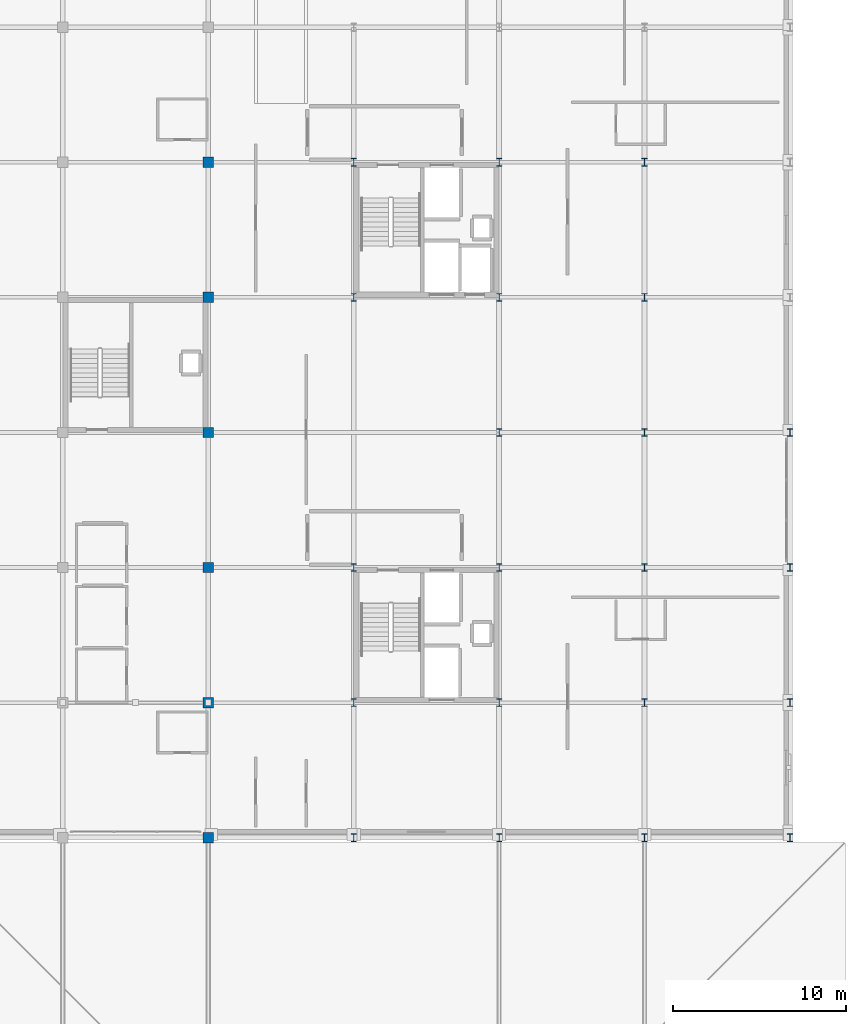
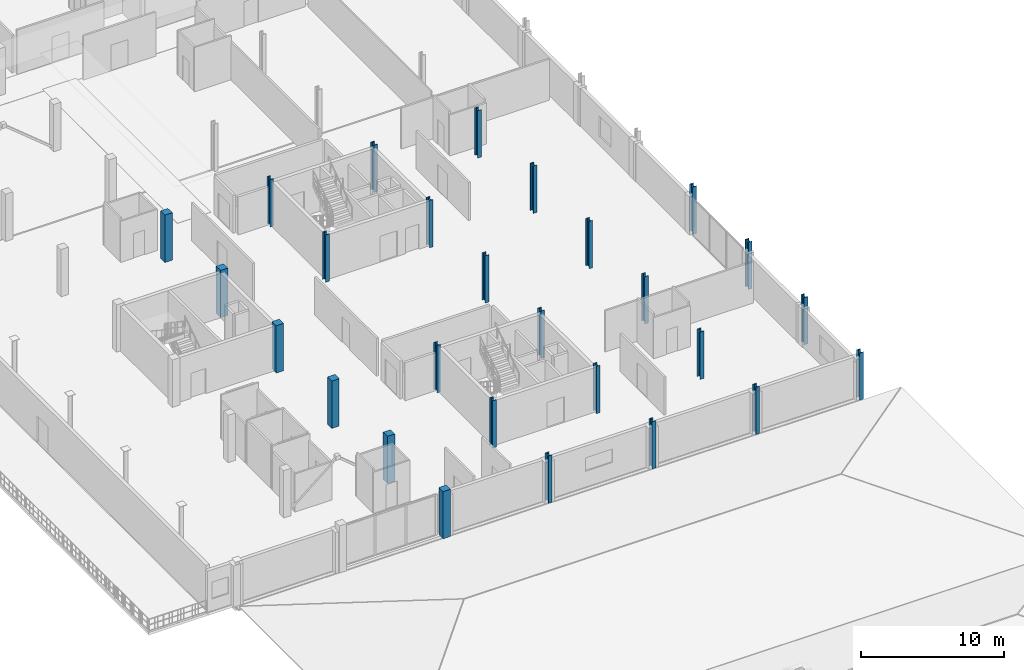
# One storey, part 3 of 25: 27 columns.
"""IFC4 building model written with IfcOpenShell, lengths in metres."""

from ifc_helpers import new_model, si_unit, direction, frame, origin, origin_2d, place, context, subcontext, project, spatial, rectangle, i_section, extrude, material, material_profile, profile_set, type_object, element, save


model = new_model("IFC4")

# Units and contexts
model_context = context("Model", 3, precision=1e-05, world=origin(), true_north=direction((0.0, 1.0)))
body_context = subcontext(model_context, "Body", "Model", "MODEL_VIEW")
ifc_project = project(units=[si_unit("LENGTHUNIT", "METRE"), si_unit("AREAUNIT", "SQUARE_METRE"), si_unit("VOLUMEUNIT", "CUBIC_METRE"), si_unit("PLANEANGLEUNIT", "RADIAN"), si_unit("MASSUNIT", "GRAM", prefix="KILO")], contexts=[model_context])

# Site, building, storey
site_placement = place(None, origin())
site = spatial("IfcSite", under=ifc_project, at=site_placement, CompositionType="ELEMENT")
building_placement = place(site_placement, origin())
building = spatial("IfcBuilding", under=site, at=building_placement, Name="Nabrawat Pavilion Hospital", CompositionType="ELEMENT")
storey_placement = place(building_placement, frame((0.0, 0.0, 22.949951171875)))
storey = spatial("IfcBuildingStorey", under=building, at=storey_placement, Name="L05", CompositionType="ELEMENT", Elevation=22.949951171875)

# Columns
ifc_material_1 = material(Name="Steel S355", Category="steel")
ifc_material_profile_1 = material_profile(ifc_material_1, i_section(OverallWidth=0.300048828125, OverallDepth=0.449951171875, WebThickness=0.013916015625, FlangeThickness=0.02587890625, FilletRadius=0.027099609375, at=origin_2d()), Name="HEB 450")
ifc_profile_set_1 = profile_set([ifc_material_profile_1], Name="Steel S355")
column_type_1 = type_object("IfcColumnType", Name="Composite Steel Column HEB 450", PredefinedType="COLUMN", material=ifc_profile_set_1)
for number, where, z_axis, x_axis, name in (
    (1, (168.0, 39.0, 0.0), (0.0, 0.0, 1.0), (1.0, 0.0, 0.0), "L05 Structural Column G-21-F1"),
    (2, (168.0, 46.800048828125, 0.0), (0.0, 0.0, 1.0), (1.0, 0.0, 0.0), "L05 Structural Column G-21-G"),
    (3, (168.0, 54.60009765625, 0.0), (0.0, 0.0, 1.0), (1.0, 0.0, 0.0), "L05 Structural Column G-21-H"),
    (4, (168.0, 70.199951171875, 0.0), (0.0, 0.0, 1.0), (1.0, 0.0, 0.0), "L05 Structural Column G-21-K"),
    (5, (168.0, 78.0, 0.0), (0.0, 0.0, 1.0), (1.0, 0.0, 0.0), "L05 Structural Column G-21-L"),
    (6, (176.39990234375, 39.0, 0.0), (0.0, 0.0, 1.0), (1.0, 0.0, 0.0), "L05 Structural Column G-22-F1"),
    (7, (176.39990234375, 46.800048828125, 0.0), (0.0, 0.0, 1.0), (1.0, 0.0, 0.0), "L05 Structural Column G-22-G"),
    (8, (176.39990234375, 54.60009765625, 0.0), (0.0, 0.0, 1.0), (1.0, 0.0, 0.0), "L05 Structural Column G-22-H"),
    (9, (176.39990234375, 62.39990234375, 0.0), (0.0, 0.0, 1.0), (1.0, 0.0, 0.0), "L05 Structural Column G-22-J"),
    (10, (176.39990234375, 70.199951171875, 0.0), (0.0, 0.0, 1.0), (1.0, 0.0, 0.0), "L05 Structural Column G-22-K"),
    (11, (176.39990234375, 78.0, 0.0), (0.0, 0.0, 1.0), (1.0, 0.0, 0.0), "L05 Structural Column G-22-L"),
    (12, (184.800048828125, 39.0, 0.0), (0.0, 0.0, 1.0), (1.0, 0.0, 0.0), "L05 Structural Column G-23-F1"),
    (13, (184.800048828125, 46.800048828125, 0.0), (0.0, 0.0, 1.0), (1.0, 0.0, 0.0), "L05 Structural Column G-23-G"),
    (14, (184.800048828125, 54.60009765625, 0.0), (0.0, 0.0, 1.0), (1.0, 0.0, 0.0), "L05 Structural Column G-23-H"),
    (15, (184.800048828125, 62.39990234375, 0.0), (0.0, 0.0, 1.0), (1.0, 0.0, 0.0), "L05 Structural Column G-23-J"),
    (16, (184.800048828125, 70.199951171875, 0.0), (0.0, 0.0, 1.0), (1.0, 0.0, 0.0), "L05 Structural Column G-23-K"),
    (17, (184.800048828125, 78.0, 0.0), (0.0, 0.0, 1.0), (1.0, 0.0, 0.0), "L05 Structural Column G-23-L"),
    (18, (193.199951171875, 39.0, 0.0), (0.0, 0.0, 1.0), (1.0, 0.0, 0.0), "L05 Structural Column G-24-F1"),
    (19, (193.199951171875, 46.800048828125, 0.0), (0.0, 0.0, 1.0), (1.0, 0.0, 0.0), "L05 Structural Column G-24-G"),
    (20, (193.199951171875, 54.60009765625, 0.0), (0.0, 0.0, 1.0), (1.0, 0.0, 0.0), "L05 Structural Column G-24-H"),
    (21, (193.199951171875, 62.39990234375, 0.0), (0.0, 0.0, 1.0), (1.0, 0.0, 0.0), "L05 Structural Column G-24-J"),
):
    element("IfcColumn", number, at=place(storey_placement, frame(where, z_axis=z_axis, x_axis=x_axis)), inside=storey, type_object=column_type_1, Name=name, PredefinedType="COLUMN", context=body_context, shape_type="SweptSolid", body=[
        extrude(i_section(OverallWidth=0.300048828125, OverallDepth=0.449951171875, WebThickness=0.013916015625, FlangeThickness=0.02587890625, FilletRadius=0.027099609375, at=origin_2d()), origin(), (0.0, 0.0, 1.0), 4.050048828125),
    ])
ifc_material_2 = material(Name="Concrete C40/50", Category="concrete")
ifc_material_profile_2 = material_profile(ifc_material_2, rectangle(XDim=0.60009765625, YDim=0.60009765625, at=origin_2d()), Name="RC 600x600")
ifc_profile_set_2 = profile_set([ifc_material_profile_2], Name="Concrete C40/50")
column_type_2 = type_object("IfcColumnType", Name="Upper Ward RC Column 600x600", PredefinedType="COLUMN", material=ifc_profile_set_2)
for number, where, z_axis, x_axis, name in (
    (22, (159.60009765625, 39.0, 0.0), (0.0, 0.0, 1.0), (1.0, 0.0, 0.0), "L05 Structural Column G-20-F1"),
    (23, (159.60009765625, 46.800048828125, 0.0), (0.0, 0.0, 1.0), (1.0, 0.0, 0.0), "L05 Structural Column G-20-G"),
    (24, (159.60009765625, 54.60009765625, 0.0), (0.0, 0.0, 1.0), (1.0, 0.0, 0.0), "L05 Structural Column G-20-H"),
    (25, (159.60009765625, 62.39990234375, 0.0), (0.0, 0.0, 1.0), (1.0, 0.0, 0.0), "L05 Structural Column G-20-J"),
    (26, (159.60009765625, 70.199951171875, 0.0), (0.0, 0.0, 1.0), (1.0, 0.0, 0.0), "L05 Structural Column G-20-K"),
    (27, (159.60009765625, 78.0, 0.0), (0.0, 0.0, 1.0), (1.0, 0.0, 0.0), "L05 Structural Column G-20-L"),
):
    element("IfcColumn", number, at=place(storey_placement, frame(where, z_axis=z_axis, x_axis=x_axis)), inside=storey, type_object=column_type_2, Name=name, PredefinedType="COLUMN", context=body_context, shape_type="SweptSolid", body=[
        extrude(rectangle(XDim=0.60009765625, YDim=0.60009765625, at=origin_2d()), origin(), (0.0, 0.0, 1.0), 4.050048828125),
    ])

save(model, "model.ifc")
